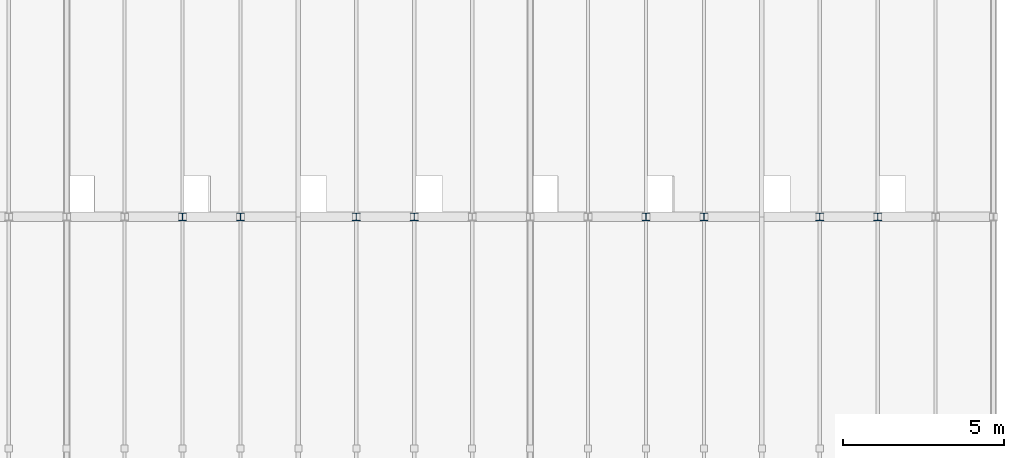
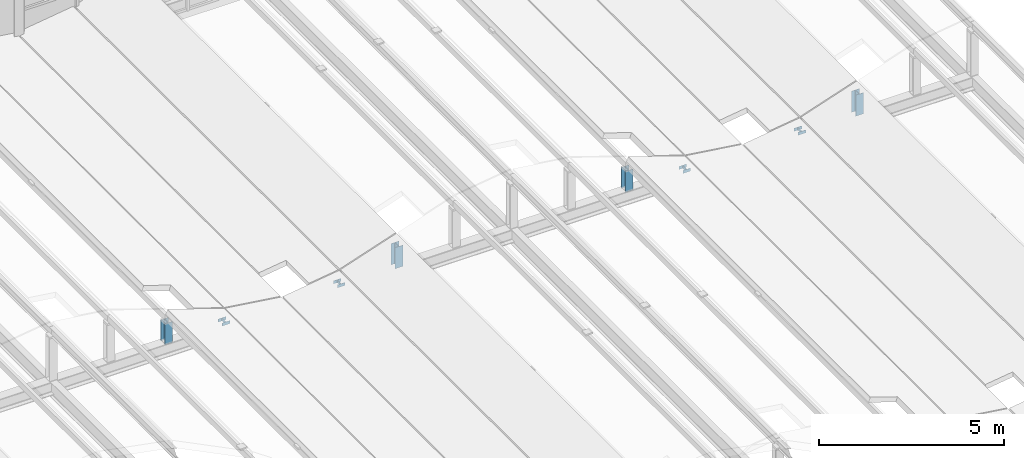
# One storey, part 47 of 83: 8 members.
"""IFC4 building model written with IfcOpenShell, lengths in metres."""

from ifc_helpers import new_model, si_unit, direction, frame, origin, origin_2d, place, context, subcontext, project, spatial, i_section, extrude, material, material_profile, profile_set, type_object, element, save


model = new_model("IFC4")

# Units and contexts
model_context = context("Model", 3, precision=1e-05, world=origin(), true_north=direction((0.0, 1.0)))
body_context = subcontext(model_context, "Body", "Model", "MODEL_VIEW")
ifc_project = project(units=[si_unit("LENGTHUNIT", "METRE"), si_unit("AREAUNIT", "SQUARE_METRE"), si_unit("VOLUMEUNIT", "CUBIC_METRE"), si_unit("PLANEANGLEUNIT", "RADIAN"), si_unit("MASSUNIT", "GRAM", prefix="KILO")], contexts=[model_context])

# Site, building, storey
site_placement = place(None, origin())
site = spatial("IfcSite", under=ifc_project, at=site_placement, CompositionType="ELEMENT")
building_placement = place(site_placement, origin())
building = spatial("IfcBuilding", under=site, at=building_placement, Name="Leyfeld Transit Interchange", CompositionType="ELEMENT")
storey_placement = place(building_placement, frame((0.0, 0.0, 5.39990234375)))
storey = spatial("IfcBuildingStorey", under=building, at=storey_placement, Name="L01", CompositionType="ELEMENT", Elevation=5.39990234375)

# Members
ifc_material = material(Name="Steel S355J2", Category="steel")
ifc_material_profile = material_profile(ifc_material, i_section(OverallWidth=0.239990234375, OverallDepth=0.22998046875, WebThickness=0.007568359375, FlangeThickness=0.011962890625, FilletRadius=0.02099609375, at=origin_2d()), Name="HEA 240")
ifc_profile_set = profile_set([ifc_material_profile], Name="Steel S355J2")
member_type = type_object("IfcMemberType", Name="MEM-CHD-HEA240", PredefinedType="CHORD", material=ifc_profile_set)
member_1_placement = place(storey_placement, frame((162.0, 28.800048828125, 0.860107421875), z_axis=(0.0, 0.0, 1.0), x_axis=(1.0, 0.0, 0.0)))
element("IfcMember", 1, at=member_1_placement, inside=storey, type_object=member_type, Name="Wave Canopy Riser Post 228", PredefinedType="CHORD", context=body_context, shape_type="SweptSolid", body=[
    extrude(i_section(OverallWidth=0.239990234375, OverallDepth=0.22998046875, WebThickness=0.007568359375, FlangeThickness=0.011962890625, FilletRadius=0.02099609375, at=origin_2d()), origin(), (0.0, 0.0, 1.0), 0.696533203125),
])
for number, where, z_axis, x_axis, name in (
    (2, (163.800048828125, 28.800048828125, 0.860107421875), (0.0, 0.0, 1.0), (1.0, 0.0, 0.0), "Wave Canopy Riser Post 235"),
    (3, (167.39990234375, 28.800048828125, 0.860107421875), (0.0, 0.0, 1.0), (1.0, 0.0, 0.0), "Wave Canopy Riser Post 245"),
):
    element("IfcMember", number, at=place(storey_placement, frame(where, z_axis=z_axis, x_axis=x_axis)), inside=storey, type_object=member_type, Name=name, PredefinedType="CHORD", context=body_context, shape_type="SweptSolid", body=[
        extrude(i_section(OverallWidth=0.239990234375, OverallDepth=0.22998046875, WebThickness=0.007568359375, FlangeThickness=0.011962890625, FilletRadius=0.02099609375, at=origin_2d()), origin(), (0.0, 0.0, 1.0), 0.0947265625),
    ])
for number, where, z_axis, x_axis, name in (
    (4, (169.199951171875, 28.800048828125, 0.860107421875), (0.0, 0.0, 1.0), (1.0, 0.0, 0.0), "Wave Canopy Riser Post 252"),
    (5, (176.39990234375, 28.800048828125, 0.860107421875), (0.0, 0.0, 1.0), (1.0, 0.0, 0.0), "Wave Canopy Riser Post 280"),
):
    element("IfcMember", number, at=place(storey_placement, frame(where, z_axis=z_axis, x_axis=x_axis)), inside=storey, type_object=member_type, Name=name, PredefinedType="CHORD", context=body_context, shape_type="SweptSolid", body=[
        extrude(i_section(OverallWidth=0.239990234375, OverallDepth=0.22998046875, WebThickness=0.007568359375, FlangeThickness=0.011962890625, FilletRadius=0.02099609375, at=origin_2d()), origin(), (0.0, 0.0, 1.0), 0.696533203125),
    ])
for number, where, z_axis, x_axis, name in (
    (6, (178.199951171875, 28.800048828125, 0.860107421875), (0.0, 0.0, 1.0), (1.0, 0.0, 0.0), "Wave Canopy Riser Post 287"),
    (7, (181.800048828125, 28.800048828125, 0.860107421875), (0.0, 0.0, 1.0), (1.0, 0.0, 0.0), "Wave Canopy Riser Post 297"),
):
    element("IfcMember", number, at=place(storey_placement, frame(where, z_axis=z_axis, x_axis=x_axis)), inside=storey, type_object=member_type, Name=name, PredefinedType="CHORD", context=body_context, shape_type="SweptSolid", body=[
        extrude(i_section(OverallWidth=0.239990234375, OverallDepth=0.22998046875, WebThickness=0.007568359375, FlangeThickness=0.011962890625, FilletRadius=0.02099609375, at=origin_2d()), origin(), (0.0, 0.0, 1.0), 0.0947265625),
    ])
member_2_placement = place(storey_placement, frame((183.60009765625, 28.800048828125, 0.860107421875), z_axis=(0.0, 0.0, 1.0), x_axis=(1.0, 0.0, 0.0)))
element("IfcMember", 8, at=member_2_placement, inside=storey, type_object=member_type, Name="Wave Canopy Riser Post 304", PredefinedType="CHORD", context=body_context, shape_type="SweptSolid", body=[
    extrude(i_section(OverallWidth=0.239990234375, OverallDepth=0.22998046875, WebThickness=0.007568359375, FlangeThickness=0.011962890625, FilletRadius=0.02099609375, at=origin_2d()), origin(), (0.0, 0.0, 1.0), 0.696533203125),
])

save(model, "model.ifc")
